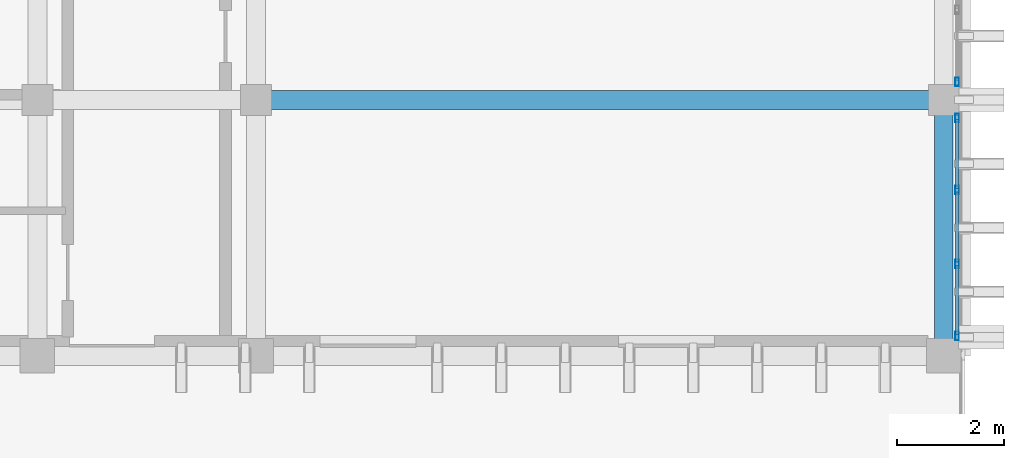
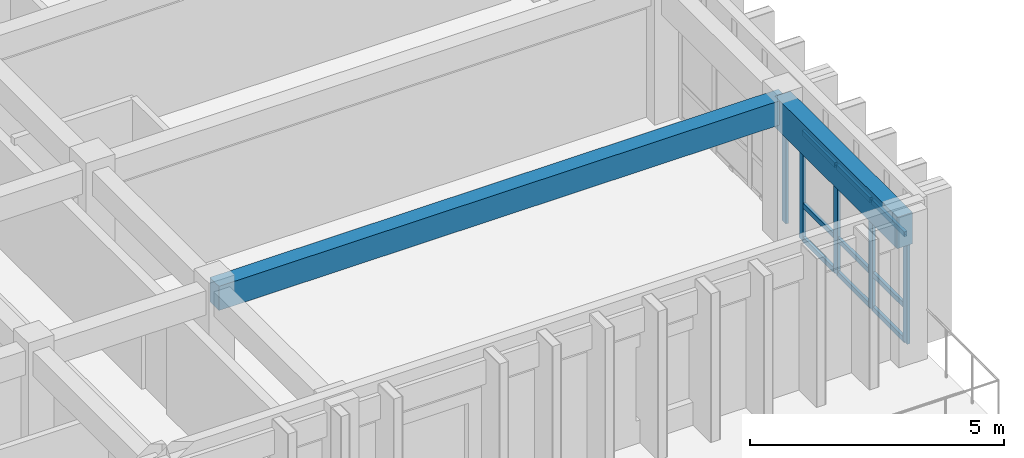
# One storey, part 6 of 49: 14 members, 2 beams, 2 elements without a shape of their own.
"""IFC4 building model written with IfcOpenShell, lengths in metres."""

from ifc_helpers import new_model, si_unit, direction, frame, origin, origin_2d, place, context, subcontext, project, spatial, rectangle, hollow_rectangle, extrude, material, layer, layer_set, material_profile, profile_set, type_object, element, aggregate, save


model = new_model("IFC4")

# Units and contexts
model_context = context("Model", 3, precision=1e-05, world=origin(), true_north=direction((0.0, 1.0)))
body_context = subcontext(model_context, "Body", "Model", "MODEL_VIEW")
ifc_project = project(units=[si_unit("LENGTHUNIT", "METRE"), si_unit("AREAUNIT", "SQUARE_METRE"), si_unit("VOLUMEUNIT", "CUBIC_METRE"), si_unit("PLANEANGLEUNIT", "RADIAN"), si_unit("MASSUNIT", "GRAM", prefix="KILO")], contexts=[model_context])

# Site, building, storey
site_placement = place(None, origin())
site = spatial("IfcSite", under=ifc_project, at=site_placement, CompositionType="ELEMENT")
building_placement = place(site_placement, origin())
building = spatial("IfcBuilding", under=site, at=building_placement, Name="Nakhvara Creek Congress Hotel", CompositionType="ELEMENT")
storey_placement = place(building_placement, frame((0.0, 0.0, 39.0)))
storey = spatial("IfcBuildingStorey", under=building, at=storey_placement, Name="L09", CompositionType="ELEMENT", Elevation=39.0)

# Beams
ifc_material_1 = material(Name="Concrete C40/50", Category="concrete")
ifc_material_profile_1 = material_profile(ifc_material_1, rectangle(XDim=0.360107421875, YDim=0.580078125, at=origin_2d()), Name="RC-BM 360x580", Category="LoadBearing")
ifc_profile_set_1 = profile_set([ifc_material_profile_1], Name="Concrete C40/50")
beam_type_1 = type_object("IfcBeamType", Name="BM-RC-360X580", PredefinedType="BEAM", material=ifc_profile_set_1)
beam_1_placement = place(storey_placement, frame((166.449951171875, 62.39990234375, 3.070068359375), z_axis=(1.0, 0.0, 0.0), x_axis=(0.0, 1.0, 0.0)))
element("IfcBeam", 1, at=beam_1_placement, inside=storey, type_object=beam_type_1, Name="Beam B09-L09-2623", PredefinedType="BEAM", context=body_context, shape_type="SweptSolid", body=[
    extrude(rectangle(XDim=0.360107421875, YDim=0.580078125, at=origin_2d()), origin(), (0.0, 0.0, 1.0), 12.900146484375),
])
ifc_material_profile_2 = material_profile(ifc_material_1, rectangle(XDim=0.35009765625, YDim=0.75, at=origin_2d()), Name="RC-SPANDREL 350x750", Category="LoadBearing")
ifc_profile_set_2 = profile_set([ifc_material_profile_2], Name="Concrete C40/50")
beam_type_2 = type_object("IfcBeamType", Name="BM-SPN-350X750", PredefinedType="SPANDREL", material=ifc_profile_set_2)
beam_2_placement = place(storey_placement, frame((179.35009765625, 57.60009765625, 2.985107421875), z_axis=(0.0, 1.0, 0.0), x_axis=(-1.0, 0.0, 0.0)))
element("IfcBeam", 2, at=beam_2_placement, inside=storey, type_object=beam_type_2, Name="Beam SP1-L09-2597", PredefinedType="SPANDREL", context=body_context, shape_type="SweptSolid", body=[
    extrude(rectangle(XDim=0.35009765625, YDim=0.75, at=origin_2d()), origin(), (0.0, 0.0, 1.0), 4.7998046875),
])

# Curtain wall, members
ifc_material_2 = material(Name="Bronze-anodised aluminium AW-6063-T6 and double-silver low-E glass", Category="aluminium")
ifc_layer = layer(ifc_material_2, 0.199951171875)
ifc_layer_set = layer_set([ifc_layer], Name="Bronze-anodised aluminium AW-6063-T6 and double-silver low-E glass")
curtain_wall_type = type_object("IfcCurtainWallType", Name="CW-HTL-UNIT", PredefinedType="USERDEFINED", material=ifc_layer_set)
curtain_wall_1_placement = place(storey_placement, origin())
curtain_wall_1 = element("IfcCurtainWall", 3, at=curtain_wall_1_placement, inside=storey, type_object=curtain_wall_type, Name="Curtain Wall CW295", ObjectType="UNITISED", PredefinedType="USERDEFINED")
ifc_material_3 = material(Name="Bronze-anodised aluminium AW-6063-T6", Category="aluminium")
ifc_material_profile_3 = material_profile(ifc_material_3, hollow_rectangle(XDim=0.06494140625, YDim=0.159912109375, WallThickness=0.00390625, at=origin_2d()), Name="ALU-MULL 65x160x4", Category="LoadBearing")
ifc_profile_set_3 = profile_set([ifc_material_profile_3], Name="Bronze-anodised aluminium AW-6063-T6")
member_type_1 = type_object("IfcMemberType", Name="CW-MULL-160", PredefinedType="MULLION", material=ifc_profile_set_3)
member_1_placement = place(storey_placement, frame((179.60009765625, 62.0625, 0.0), z_axis=(0.0, 0.0, 1.0), x_axis=(1.0, 0.0, 0.0)))
member_1 = element("IfcMember", 4, at=member_1_placement, type_object=member_type_1, Name="CW295 mullion 1", PredefinedType="MULLION", context=body_context, shape_type="SweptSolid", body=[
    extrude(hollow_rectangle(XDim=0.06494140625, YDim=0.159912109375, WallThickness=0.00390625, at=origin_2d()), origin(), (0.0, 0.0, 1.0), 2.60205078125),
])
member_2_placement = place(storey_placement, frame((179.60009765625, 60.7099609375, 0.0), z_axis=(0.0, 0.0, 1.0), x_axis=(1.0, 0.0, 0.0)))
member_2 = element("IfcMember", 5, at=member_2_placement, type_object=member_type_1, Name="CW295 mullion 2", PredefinedType="MULLION", context=body_context, shape_type="SweptSolid", body=[
    extrude(hollow_rectangle(XDim=0.06494140625, YDim=0.159912109375, WallThickness=0.00390625, at=origin_2d()), origin(), (0.0, 0.0, 1.0), 2.60205078125),
])
member_3_placement = place(storey_placement, frame((179.60009765625, 59.324951171875, 0.0), z_axis=(0.0, 0.0, 1.0), x_axis=(1.0, 0.0, 0.0)))
member_3 = element("IfcMember", 6, at=member_3_placement, type_object=member_type_1, Name="CW295 mullion 3", PredefinedType="MULLION", context=body_context, shape_type="SweptSolid", body=[
    extrude(hollow_rectangle(XDim=0.06494140625, YDim=0.159912109375, WallThickness=0.00390625, at=origin_2d()), origin(), (0.0, 0.0, 1.0), 2.60205078125),
])
member_4_placement = place(storey_placement, frame((179.60009765625, 57.972412109375, 0.0), z_axis=(0.0, 0.0, 1.0), x_axis=(1.0, 0.0, 0.0)))
member_4 = element("IfcMember", 7, at=member_4_placement, type_object=member_type_1, Name="CW295 mullion 4", PredefinedType="MULLION", context=body_context, shape_type="SweptSolid", body=[
    extrude(hollow_rectangle(XDim=0.06494140625, YDim=0.159912109375, WallThickness=0.00390625, at=origin_2d()), origin(), (0.0, 0.0, 1.0), 2.60205078125),
])

# Curtain wall, member
curtain_wall_2_placement = place(storey_placement, origin())
curtain_wall_2 = element("IfcCurtainWall", 8, at=curtain_wall_2_placement, inside=storey, type_object=curtain_wall_type, Name="Curtain Wall CW297", ObjectType="UNITISED", PredefinedType="USERDEFINED")
member_5_placement = place(storey_placement, frame((179.60009765625, 62.737548828125, 0.0), z_axis=(0.0, 0.0, 1.0), x_axis=(1.0, 0.0, 0.0)))
member_5 = element("IfcMember", 9, at=member_5_placement, type_object=member_type_1, Name="CW297 mullion 4", PredefinedType="MULLION", context=body_context, shape_type="SweptSolid", body=[
    extrude(hollow_rectangle(XDim=0.06494140625, YDim=0.159912109375, WallThickness=0.00390625, at=origin_2d()), origin(), (0.0, 0.0, 1.0), 2.60205078125),
])
aggregate(curtain_wall_2, [member_5])

# Member
ifc_material_profile_4 = material_profile(ifc_material_3, hollow_rectangle(XDim=0.06494140625, YDim=0.1201171875, WallThickness=0.00390625, at=origin_2d()), Name="ALU-TRAN 65x120x4", Category="LoadBearing")
ifc_profile_set_4 = profile_set([ifc_material_profile_4], Name="Bronze-anodised aluminium AW-6063-T6")
member_type_2 = type_object("IfcMemberType", Name="CW-TRAN-120", PredefinedType="USERDEFINED", material=ifc_profile_set_4)
member_6_placement = place(storey_placement, frame((179.60009765625, 62.030029296875, 0.032470703125), z_axis=(0.0, -1.0, 0.0), x_axis=(1.0, 0.0, 0.0)))
member_6 = element("IfcMember", 10, at=member_6_placement, type_object=member_type_2, Name="CW295 transom 1.1", ObjectType="TRANSOM", PredefinedType="USERDEFINED", context=body_context, shape_type="SweptSolid", body=[
    extrude(hollow_rectangle(XDim=0.06494140625, YDim=0.1201171875, WallThickness=0.00390625, at=origin_2d()), origin(), (0.0, 0.0, 1.0), 1.28759765625),
])

member_7_placement = place(storey_placement, frame((179.60009765625, 62.030029296875, 0.85009765625), z_axis=(0.0, -1.0, 0.0), x_axis=(1.0, 0.0, 0.0)))
member_7 = element("IfcMember", 11, at=member_7_placement, type_object=member_type_2, Name="CW295 transom 1.2", ObjectType="TRANSOM", PredefinedType="USERDEFINED", context=body_context, shape_type="SweptSolid", body=[
    extrude(hollow_rectangle(XDim=0.06494140625, YDim=0.1201171875, WallThickness=0.00390625, at=origin_2d()), origin(), (0.0, 0.0, 1.0), 1.28759765625),
])

member_8_placement = place(storey_placement, frame((179.60009765625, 62.030029296875, 2.569580078125), z_axis=(0.0, -1.0, 0.0), x_axis=(1.0, 0.0, 0.0)))
member_8 = element("IfcMember", 12, at=member_8_placement, type_object=member_type_2, Name="CW295 transom 1.3", ObjectType="TRANSOM", PredefinedType="USERDEFINED", context=body_context, shape_type="SweptSolid", body=[
    extrude(hollow_rectangle(XDim=0.06494140625, YDim=0.1201171875, WallThickness=0.00390625, at=origin_2d()), origin(), (0.0, 0.0, 1.0), 1.28759765625),
])

member_9_placement = place(storey_placement, frame((179.60009765625, 60.677490234375, 0.032470703125), z_axis=(0.0, -1.0, 0.0), x_axis=(1.0, 0.0, 0.0)))
member_9 = element("IfcMember", 13, at=member_9_placement, type_object=member_type_2, Name="CW295 transom 2.1", ObjectType="TRANSOM", PredefinedType="USERDEFINED", context=body_context, shape_type="SweptSolid", body=[
    extrude(hollow_rectangle(XDim=0.06494140625, YDim=0.1201171875, WallThickness=0.00390625, at=origin_2d()), origin(), (0.0, 0.0, 1.0), 1.320068359375),
])

member_10_placement = place(storey_placement, frame((179.60009765625, 60.677490234375, 0.85009765625), z_axis=(0.0, -1.0, 0.0), x_axis=(1.0, 0.0, 0.0)))
member_10 = element("IfcMember", 14, at=member_10_placement, type_object=member_type_2, Name="CW295 transom 2.2", ObjectType="TRANSOM", PredefinedType="USERDEFINED", context=body_context, shape_type="SweptSolid", body=[
    extrude(hollow_rectangle(XDim=0.06494140625, YDim=0.1201171875, WallThickness=0.00390625, at=origin_2d()), origin(), (0.0, 0.0, 1.0), 1.320068359375),
])

member_11_placement = place(storey_placement, frame((179.60009765625, 60.677490234375, 2.569580078125), z_axis=(0.0, -1.0, 0.0), x_axis=(1.0, 0.0, 0.0)))
member_11 = element("IfcMember", 15, at=member_11_placement, type_object=member_type_2, Name="CW295 transom 2.3", ObjectType="TRANSOM", PredefinedType="USERDEFINED", context=body_context, shape_type="SweptSolid", body=[
    extrude(hollow_rectangle(XDim=0.06494140625, YDim=0.1201171875, WallThickness=0.00390625, at=origin_2d()), origin(), (0.0, 0.0, 1.0), 1.320068359375),
])

member_12_placement = place(storey_placement, frame((179.60009765625, 59.29248046875, 0.032470703125), z_axis=(0.0, -1.0, 0.0), x_axis=(1.0, 0.0, 0.0)))
member_12 = element("IfcMember", 16, at=member_12_placement, type_object=member_type_2, Name="CW295 transom 3.1", ObjectType="TRANSOM", PredefinedType="USERDEFINED", context=body_context, shape_type="SweptSolid", body=[
    extrude(hollow_rectangle(XDim=0.06494140625, YDim=0.1201171875, WallThickness=0.00390625, at=origin_2d()), origin(), (0.0, 0.0, 1.0), 1.28759765625),
])

member_13_placement = place(storey_placement, frame((179.60009765625, 59.29248046875, 0.85009765625), z_axis=(0.0, -1.0, 0.0), x_axis=(1.0, 0.0, 0.0)))
member_13 = element("IfcMember", 17, at=member_13_placement, type_object=member_type_2, Name="CW295 transom 3.2", ObjectType="TRANSOM", PredefinedType="USERDEFINED", context=body_context, shape_type="SweptSolid", body=[
    extrude(hollow_rectangle(XDim=0.06494140625, YDim=0.1201171875, WallThickness=0.00390625, at=origin_2d()), origin(), (0.0, 0.0, 1.0), 1.28759765625),
])

member_14_placement = place(storey_placement, frame((179.60009765625, 59.29248046875, 2.569580078125), z_axis=(0.0, -1.0, 0.0), x_axis=(1.0, 0.0, 0.0)))
member_14 = element("IfcMember", 18, at=member_14_placement, type_object=member_type_2, Name="CW295 transom 3.3", ObjectType="TRANSOM", PredefinedType="USERDEFINED", context=body_context, shape_type="SweptSolid", body=[
    extrude(hollow_rectangle(XDim=0.06494140625, YDim=0.1201171875, WallThickness=0.00390625, at=origin_2d()), origin(), (0.0, 0.0, 1.0), 1.28759765625),
])

aggregate(curtain_wall_1, [member_1, member_2, member_3, member_4, member_6, member_7, member_8, member_9, member_10, member_11, member_12, member_13, member_14])

save(model, "model.ifc")
